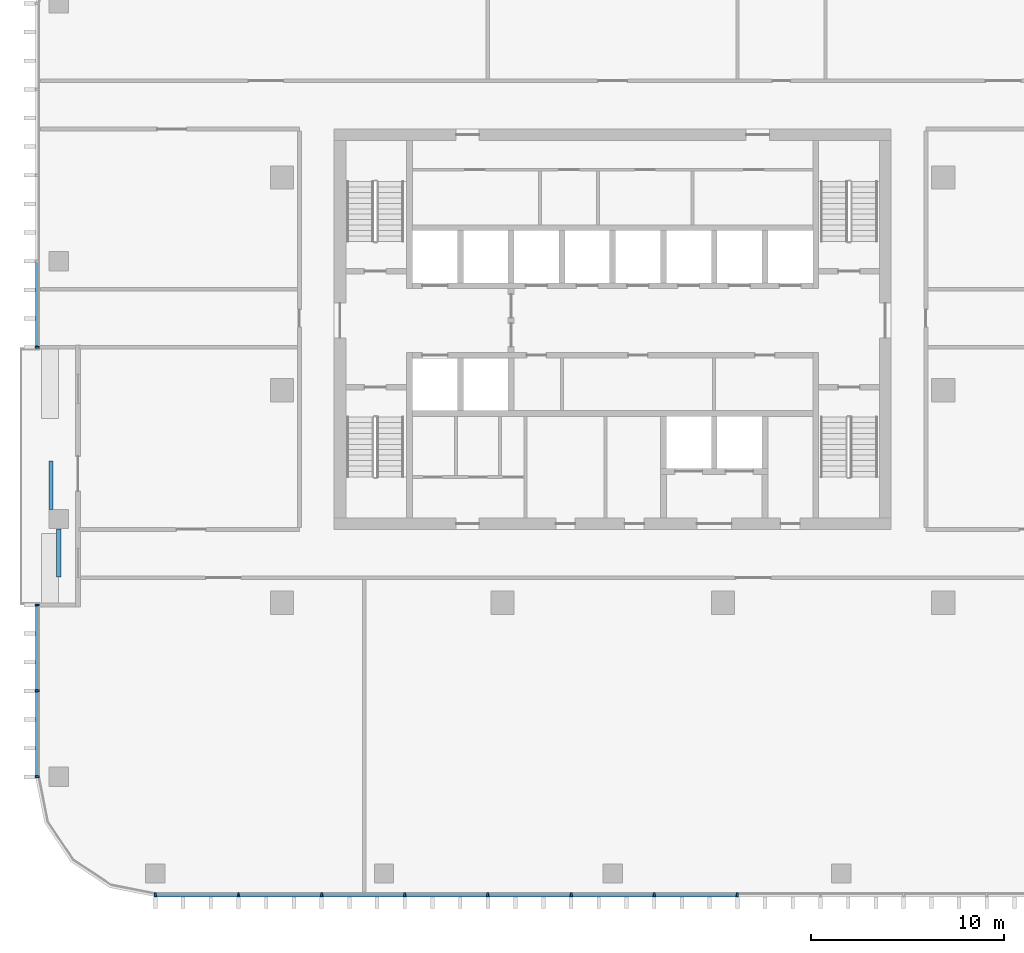
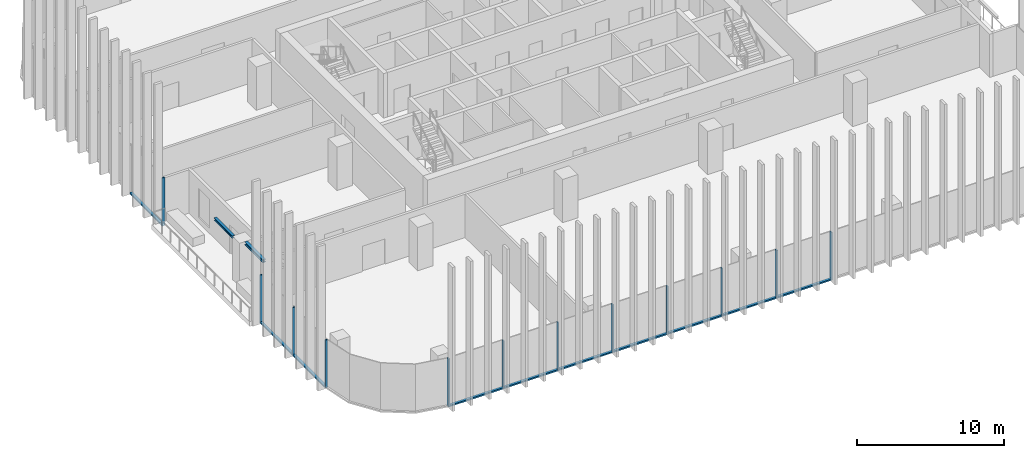
# One storey, part 2 of 16: 22 members, 2 beams, 3 elements without a shape of their own.
"""IFC4 building model written with IfcOpenShell, lengths in metres."""

from ifc_helpers import new_model, si_unit, direction, frame, origin, origin_2d, place, context, subcontext, project, spatial, rectangle, i_section, extrude, material, material_profile, profile_set, type_object, element, aggregate, save


model = new_model("IFC4")

# Units and contexts
model_context = context("Model", 3, precision=1e-05, world=origin(), true_north=direction((0.0, 1.0)))
body_context = subcontext(model_context, "Body", "Model", "MODEL_VIEW")
ifc_project = project(units=[si_unit("LENGTHUNIT", "METRE"), si_unit("AREAUNIT", "SQUARE_METRE"), si_unit("VOLUMEUNIT", "CUBIC_METRE"), si_unit("PLANEANGLEUNIT", "RADIAN"), si_unit("MASSUNIT", "GRAM", prefix="KILO")], contexts=[model_context])

# Site, building, storey
site_placement = place(None, origin())
site = spatial("IfcSite", under=ifc_project, at=site_placement, CompositionType="ELEMENT")
building_placement = place(site_placement, origin())
building = spatial("IfcBuilding", under=site, at=building_placement, Name="Mopane Tessera Tower", CompositionType="ELEMENT")
storey_placement = place(building_placement, frame((0.0, 0.0, 279.39990234375)))
storey = spatial("IfcBuildingStorey", under=building, at=storey_placement, Name="L60", CompositionType="ELEMENT", Elevation=279.39990234375)

# Curtain wall, members
ifc_material_1 = material(Name="Aluminium frame", Category="aluminium")
curtain_wall_type = type_object("IfcCurtainWallType", Name="Unitised curtain wall", PredefinedType="NOTDEFINED", material=ifc_material_1)
curtain_wall_1_placement = place(storey_placement, origin())
curtain_wall_1 = element("IfcCurtainWall", 1, at=curtain_wall_1_placement, inside=storey, type_object=curtain_wall_type, Name="e:cw:L60:S:0", PredefinedType="NOTDEFINED")
ifc_material_2 = material(Name="Aluminium frame", Category="aluminium")
ifc_material_profile_1 = material_profile(ifc_material_2, rectangle(XDim=0.10009765625, YDim=0.199951171875, at=origin_2d()))
ifc_profile_set_1 = profile_set([ifc_material_profile_1], Name="Aluminium frame")
member_type_1 = type_object("IfcMemberType", Name="Aluminium mullion 100 x 200", PredefinedType="MULLION", material=ifc_profile_set_1)
member_1_placement = place(storey_placement, frame((-23.64990234375, -26.10009765625, -0.39990234375), z_axis=(0.0, 0.0, 1.0), x_axis=(1.0, 0.0, 0.0)))
member_1 = element("IfcMember", 2, at=member_1_placement, type_object=member_type_1, Name="e:cw:L60:S:0:mu0", PredefinedType="MULLION", context=body_context, shape_type="SweptSolid", body=[
    extrude(rectangle(XDim=0.10009765625, YDim=0.199951171875, at=origin_2d()), origin(), (0.0, 0.0, 1.0), 4.0),
])
member_2_placement = place(storey_placement, frame((-19.35009765625, -26.10009765625, -0.39990234375), z_axis=(0.0, 0.0, 1.0), x_axis=(1.0, 0.0, 0.0)))
member_2 = element("IfcMember", 3, at=member_2_placement, type_object=member_type_1, Name="e:cw:L60:S:0:mu1", PredefinedType="MULLION", context=body_context, shape_type="SweptSolid", body=[
    extrude(rectangle(XDim=0.10009765625, YDim=0.199951171875, at=origin_2d()), origin(), (0.0, 0.0, 1.0), 4.0),
])
member_3_placement = place(storey_placement, frame((-15.050048828125, -26.10009765625, -0.39990234375), z_axis=(0.0, 0.0, 1.0), x_axis=(1.0, 0.0, 0.0)))
member_3 = element("IfcMember", 4, at=member_3_placement, type_object=member_type_1, Name="e:cw:L60:S:0:mu2", PredefinedType="MULLION", context=body_context, shape_type="SweptSolid", body=[
    extrude(rectangle(XDim=0.10009765625, YDim=0.199951171875, at=origin_2d()), origin(), (0.0, 0.0, 1.0), 4.0),
])
member_4_placement = place(storey_placement, frame((-10.75, -26.10009765625, -0.39990234375), z_axis=(0.0, 0.0, 1.0), x_axis=(1.0, 0.0, 0.0)))
member_4 = element("IfcMember", 5, at=member_4_placement, type_object=member_type_1, Name="e:cw:L60:S:0:mu3", PredefinedType="MULLION", context=body_context, shape_type="SweptSolid", body=[
    extrude(rectangle(XDim=0.10009765625, YDim=0.199951171875, at=origin_2d()), origin(), (0.0, 0.0, 1.0), 4.0),
])
member_5_placement = place(storey_placement, frame((-6.449951171875, -26.10009765625, -0.39990234375), z_axis=(0.0, 0.0, 1.0), x_axis=(1.0, 0.0, 0.0)))
member_5 = element("IfcMember", 6, at=member_5_placement, type_object=member_type_1, Name="e:cw:L60:S:0:mu4", PredefinedType="MULLION", context=body_context, shape_type="SweptSolid", body=[
    extrude(rectangle(XDim=0.10009765625, YDim=0.199951171875, at=origin_2d()), origin(), (0.0, 0.0, 1.0), 4.0),
])
member_6_placement = place(storey_placement, frame((-2.14990234375, -26.10009765625, -0.39990234375), z_axis=(0.0, 0.0, 1.0), x_axis=(1.0, 0.0, 0.0)))
member_6 = element("IfcMember", 7, at=member_6_placement, type_object=member_type_1, Name="e:cw:L60:S:0:mu5", PredefinedType="MULLION", context=body_context, shape_type="SweptSolid", body=[
    extrude(rectangle(XDim=0.10009765625, YDim=0.199951171875, at=origin_2d()), origin(), (0.0, 0.0, 1.0), 4.0),
])
member_7_placement = place(storey_placement, frame((2.14990234375, -26.10009765625, -0.39990234375), z_axis=(0.0, 0.0, 1.0), x_axis=(1.0, 0.0, 0.0)))
member_7 = element("IfcMember", 8, at=member_7_placement, type_object=member_type_1, Name="e:cw:L60:S:0:mu6", PredefinedType="MULLION", context=body_context, shape_type="SweptSolid", body=[
    extrude(rectangle(XDim=0.10009765625, YDim=0.199951171875, at=origin_2d()), origin(), (0.0, 0.0, 1.0), 4.0),
])
member_8_placement = place(storey_placement, frame((6.449951171875, -26.10009765625, -0.39990234375), z_axis=(0.0, 0.0, 1.0), x_axis=(1.0, 0.0, 0.0)))
member_8 = element("IfcMember", 9, at=member_8_placement, type_object=member_type_1, Name="e:cw:L60:S:0:mu7", PredefinedType="MULLION", context=body_context, shape_type="SweptSolid", body=[
    extrude(rectangle(XDim=0.10009765625, YDim=0.199951171875, at=origin_2d()), origin(), (0.0, 0.0, 1.0), 4.0),
])

# Curtain wall, member
curtain_wall_2_placement = place(storey_placement, origin())
curtain_wall_2 = element("IfcCurtainWall", 10, at=curtain_wall_2_placement, inside=storey, type_object=curtain_wall_type, Name="e:cw:L60:W:0", PredefinedType="NOTDEFINED")
member_9_placement = place(storey_placement, frame((-29.75, 2.22216796875, -0.39990234375), z_axis=(0.0, 0.0, 1.0), x_axis=(0.0, -1.0, 0.0)))
member_9 = element("IfcMember", 11, at=member_9_placement, type_object=member_type_1, Name="e:cw:L60:W:0:mu4", PredefinedType="MULLION", context=body_context, shape_type="SweptSolid", body=[
    extrude(rectangle(XDim=0.10009765625, YDim=0.199951171875, at=origin_2d()), origin(), (0.0, 0.0, 1.0), 4.0),
])

# Curtain wall, members
curtain_wall_3_placement = place(storey_placement, origin())
curtain_wall_3 = element("IfcCurtainWall", 12, at=curtain_wall_3_placement, inside=storey, type_object=curtain_wall_type, Name="e:cw:L60:W:7", PredefinedType="NOTDEFINED")
member_10_placement = place(storey_placement, frame((-29.75, -11.111083984375, -0.39990234375), z_axis=(0.0, 0.0, 1.0), x_axis=(0.0, -1.0, 0.0)))
member_10 = element("IfcMember", 13, at=member_10_placement, type_object=member_type_1, Name="e:cw:L60:W:7:mu7", PredefinedType="MULLION", context=body_context, shape_type="SweptSolid", body=[
    extrude(rectangle(XDim=0.10009765625, YDim=0.199951171875, at=origin_2d()), origin(), (0.0, 0.0, 1.0), 4.0),
])
member_11_placement = place(storey_placement, frame((-29.75, -15.5556640625, -0.39990234375), z_axis=(0.0, 0.0, 1.0), x_axis=(0.0, -1.0, 0.0)))
member_11 = element("IfcMember", 14, at=member_11_placement, type_object=member_type_1, Name="e:cw:L60:W:7:mu8", PredefinedType="MULLION", context=body_context, shape_type="SweptSolid", body=[
    extrude(rectangle(XDim=0.10009765625, YDim=0.199951171875, at=origin_2d()), origin(), (0.0, 0.0, 1.0), 4.0),
])
member_12_placement = place(storey_placement, frame((-29.75, -20.0, -0.39990234375), z_axis=(0.0, 0.0, 1.0), x_axis=(0.0, -1.0, 0.0)))
member_12 = element("IfcMember", 15, at=member_12_placement, type_object=member_type_1, Name="e:cw:L60:W:7:mu9", PredefinedType="MULLION", context=body_context, shape_type="SweptSolid", body=[
    extrude(rectangle(XDim=0.10009765625, YDim=0.199951171875, at=origin_2d()), origin(), (0.0, 0.0, 1.0), 4.0),
])

# Member
ifc_material_3 = material(Name="Aluminium frame", Category="aluminium")
ifc_material_profile_2 = material_profile(ifc_material_3, rectangle(XDim=0.199951171875, YDim=0.1201171875, at=origin_2d()))
ifc_profile_set_2 = profile_set([ifc_material_profile_2], Name="Aluminium frame")
member_type_2 = type_object("IfcMemberType", Name="Aluminium transom 200 x 120", PredefinedType="USERDEFINED", material=ifc_profile_set_2)
member_13_placement = place(storey_placement, frame((-23.60009765625, -26.10009765625, -0.33984375), z_axis=(1.0, 0.0, 0.0), x_axis=(0.0, 1.0, 0.0)))
member_13 = element("IfcMember", 16, at=member_13_placement, type_object=member_type_2, Name="e:cw:L60:S:0:tr0", ObjectType="TRANSOM", PredefinedType="USERDEFINED", context=body_context, shape_type="SweptSolid", body=[
    extrude(rectangle(XDim=0.199951171875, YDim=0.1201171875, at=origin_2d()), origin(), (0.0, 0.0, 1.0), 4.2001953125),
])

member_14_placement = place(storey_placement, frame((-19.300048828125, -26.10009765625, -0.33984375), z_axis=(1.0, 0.0, 0.0), x_axis=(0.0, 1.0, 0.0)))
member_14 = element("IfcMember", 17, at=member_14_placement, type_object=member_type_2, Name="e:cw:L60:S:0:tr1", ObjectType="TRANSOM", PredefinedType="USERDEFINED", context=body_context, shape_type="SweptSolid", body=[
    extrude(rectangle(XDim=0.199951171875, YDim=0.1201171875, at=origin_2d()), origin(), (0.0, 0.0, 1.0), 4.199951171875),
])

member_15_placement = place(storey_placement, frame((-15.0, -26.10009765625, -0.33984375), z_axis=(1.0, 0.0, 0.0), x_axis=(0.0, 1.0, 0.0)))
member_15 = element("IfcMember", 18, at=member_15_placement, type_object=member_type_2, Name="e:cw:L60:S:0:tr2", ObjectType="TRANSOM", PredefinedType="USERDEFINED", context=body_context, shape_type="SweptSolid", body=[
    extrude(rectangle(XDim=0.199951171875, YDim=0.1201171875, at=origin_2d()), origin(), (0.0, 0.0, 1.0), 4.199951171875),
])

member_16_placement = place(storey_placement, frame((-10.699951171875, -26.10009765625, -0.33984375), z_axis=(1.0, 0.0, 0.0), x_axis=(0.0, 1.0, 0.0)))
member_16 = element("IfcMember", 19, at=member_16_placement, type_object=member_type_2, Name="e:cw:L60:S:0:tr3", ObjectType="TRANSOM", PredefinedType="USERDEFINED", context=body_context, shape_type="SweptSolid", body=[
    extrude(rectangle(XDim=0.199951171875, YDim=0.1201171875, at=origin_2d()), origin(), (0.0, 0.0, 1.0), 4.199951171875),
])

member_17_placement = place(storey_placement, frame((-6.39990234375, -26.10009765625, -0.33984375), z_axis=(1.0, 0.0, 0.0), x_axis=(0.0, 1.0, 0.0)))
member_17 = element("IfcMember", 20, at=member_17_placement, type_object=member_type_2, Name="e:cw:L60:S:0:tr4", ObjectType="TRANSOM", PredefinedType="USERDEFINED", context=body_context, shape_type="SweptSolid", body=[
    extrude(rectangle(XDim=0.199951171875, YDim=0.1201171875, at=origin_2d()), origin(), (0.0, 0.0, 1.0), 4.199951171875),
])

member_18_placement = place(storey_placement, frame((-2.10009765625, -26.10009765625, -0.33984375), z_axis=(1.0, 0.0, 0.0), x_axis=(0.0, 1.0, 0.0)))
member_18 = element("IfcMember", 21, at=member_18_placement, type_object=member_type_2, Name="e:cw:L60:S:0:tr5", ObjectType="TRANSOM", PredefinedType="USERDEFINED", context=body_context, shape_type="SweptSolid", body=[
    extrude(rectangle(XDim=0.199951171875, YDim=0.1201171875, at=origin_2d()), origin(), (0.0, 0.0, 1.0), 4.2001953125),
])

member_19_placement = place(storey_placement, frame((2.199951171875, -26.10009765625, -0.33984375), z_axis=(1.0, 0.0, 0.0), x_axis=(0.0, 1.0, 0.0)))
member_19 = element("IfcMember", 22, at=member_19_placement, type_object=member_type_2, Name="e:cw:L60:S:0:tr6", ObjectType="TRANSOM", PredefinedType="USERDEFINED", context=body_context, shape_type="SweptSolid", body=[
    extrude(rectangle(XDim=0.199951171875, YDim=0.1201171875, at=origin_2d()), origin(), (0.0, 0.0, 1.0), 4.199951171875),
])

aggregate(curtain_wall_1, [member_1, member_2, member_3, member_4, member_5, member_6, member_7, member_8, member_13, member_14, member_15, member_16, member_17, member_18, member_19])

member_20_placement = place(storey_placement, frame((-29.75, 6.61669921875, -0.33984375), z_axis=(0.0, -1.0, 0.0), x_axis=(1.0, 0.0, 0.0)))
member_20 = element("IfcMember", 23, at=member_20_placement, type_object=member_type_2, Name="e:cw:L60:W:0:tr3", ObjectType="TRANSOM", PredefinedType="USERDEFINED", context=body_context, shape_type="SweptSolid", body=[
    extrude(rectangle(XDim=0.199951171875, YDim=0.1201171875, at=origin_2d()), origin(), (0.0, 0.0, 1.0), 4.344482421875),
])

aggregate(curtain_wall_2, [member_9, member_20])

member_21_placement = place(storey_placement, frame((-29.75, -11.1611328125, -0.33984375), z_axis=(0.0, -1.0, 0.0), x_axis=(1.0, 0.0, 0.0)))
member_21 = element("IfcMember", 24, at=member_21_placement, type_object=member_type_2, Name="e:cw:L60:W:7:tr7", ObjectType="TRANSOM", PredefinedType="USERDEFINED", context=body_context, shape_type="SweptSolid", body=[
    extrude(rectangle(XDim=0.199951171875, YDim=0.1201171875, at=origin_2d()), origin(), (0.0, 0.0, 1.0), 4.344482421875),
])

member_22_placement = place(storey_placement, frame((-29.75, -15.60546875, -0.33984375), z_axis=(0.0, -1.0, 0.0), x_axis=(1.0, 0.0, 0.0)))
member_22 = element("IfcMember", 25, at=member_22_placement, type_object=member_type_2, Name="e:cw:L60:W:7:tr8", ObjectType="TRANSOM", PredefinedType="USERDEFINED", context=body_context, shape_type="SweptSolid", body=[
    extrude(rectangle(XDim=0.199951171875, YDim=0.1201171875, at=origin_2d()), origin(), (0.0, 0.0, 1.0), 4.344482421875),
])

aggregate(curtain_wall_3, [member_10, member_11, member_12, member_21, member_22])

# Beams
ifc_material_4 = material(Name="Structural steel S460", Category="steel")
ifc_material_profile_3 = material_profile(ifc_material_4, i_section(OverallWidth=0.239990234375, OverallDepth=0.239990234375, WebThickness=0.010009765625, FlangeThickness=0.01708984375, FilletRadius=0.02099609375, at=origin_2d()))
ifc_profile_set_3 = profile_set([ifc_material_profile_3], Name="Structural steel S460")
beam_type_1 = type_object("IfcBeamType", Name="Terrace spandrel beam HE 240 B", PredefinedType="SPANDREL", material=ifc_profile_set_3)
beam_1_placement = place(storey_placement, frame((-28.64990234375, -7.169677734375, 3.47998046875), z_axis=(0.0, -1.0, 0.0), x_axis=(1.0, 0.0, 0.0)))
element("IfcBeam", 26, at=beam_1_placement, inside=storey, type_object=beam_type_1, Name="Terrace spandrel beam N3 L61", PredefinedType="SPANDREL", context=body_context, shape_type="SweptSolid", body=[
    extrude(i_section(OverallWidth=0.239990234375, OverallDepth=0.239990234375, WebThickness=0.010009765625, FlangeThickness=0.01708984375, FilletRadius=0.02099609375, at=origin_2d()), origin(), (0.0, 0.0, 1.0), 2.5),
])
ifc_material_5 = material(Name="Structural steel S460", Category="steel")
ifc_material_profile_4 = material_profile(ifc_material_5, i_section(OverallWidth=0.199951171875, OverallDepth=0.199951171875, WebThickness=0.009033203125, FlangeThickness=0.014892578125, FilletRadius=0.01806640625, at=origin_2d()))
ifc_profile_set_4 = profile_set([ifc_material_profile_4], Name="Structural steel S460")
beam_type_2 = type_object("IfcBeamType", Name="Terrace trimmer beam HE 200 B", PredefinedType="BEAM", material=ifc_profile_set_4)
beam_2_placement = place(storey_placement, frame((-29.0498046875, -6.163818359375, 3.5), z_axis=(0.0, 1.0, 0.0), x_axis=(-1.0, 0.0, 0.0)))
element("IfcBeam", 27, at=beam_2_placement, inside=storey, type_object=beam_type_2, Name="Terrace trimmer beam N3 L61", PredefinedType="BEAM", context=body_context, shape_type="SweptSolid", body=[
    extrude(i_section(OverallWidth=0.199951171875, OverallDepth=0.199951171875, WebThickness=0.009033203125, FlangeThickness=0.014892578125, FilletRadius=0.01806640625, at=origin_2d()), origin(), (0.0, 0.0, 1.0), 2.5),
])

save(model, "model.ifc")
